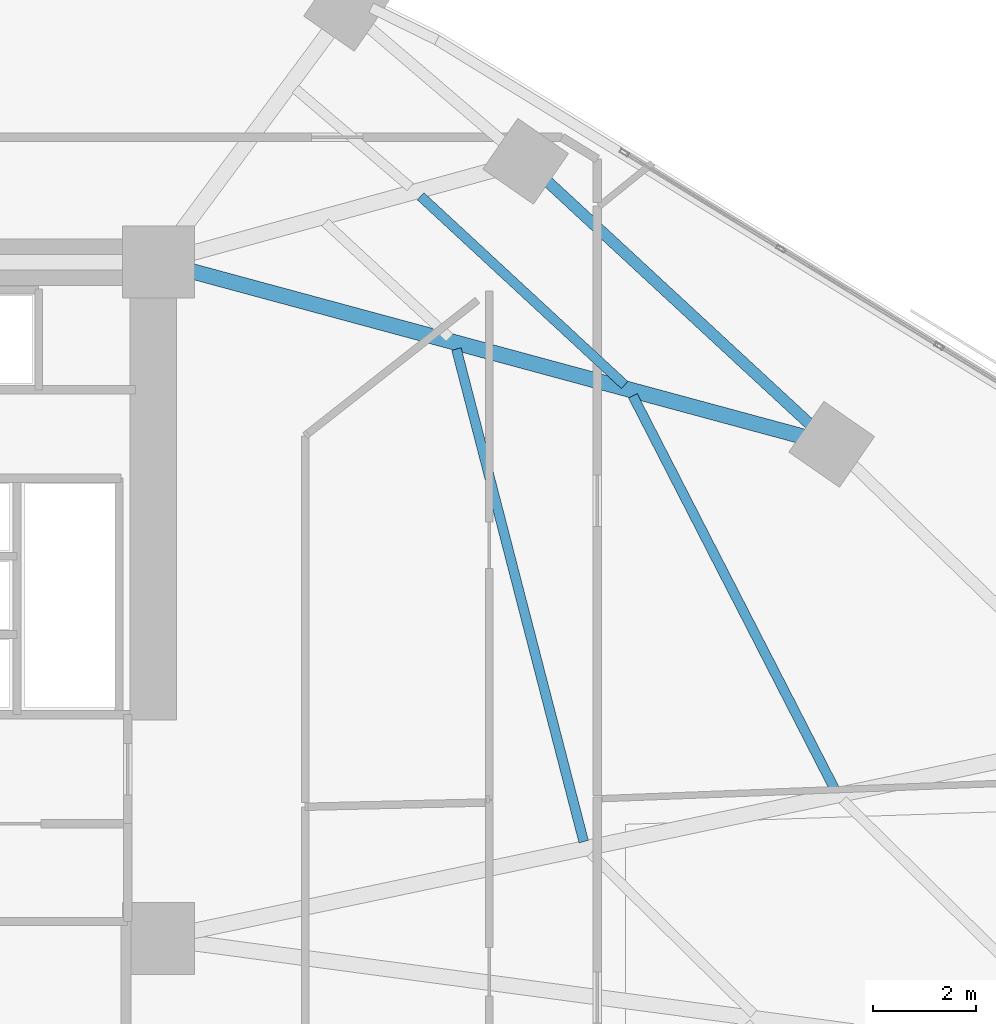
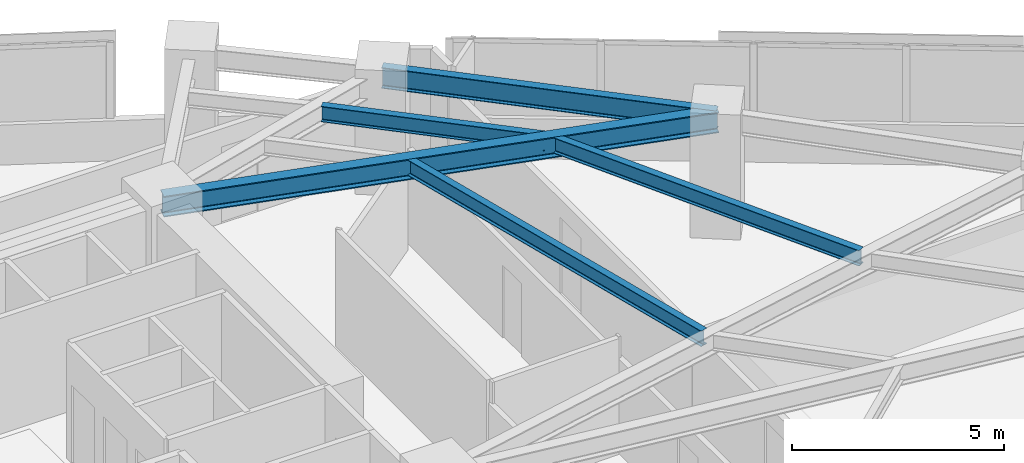
# One storey, part 5 of 19: 5 beams.
"""IFC4 building model written with IfcOpenShell, lengths in metres."""

import ifcopenshell
import ifcopenshell.guid

model = None  # the IFC model being written
_history = None  # IfcOwnerHistory: only IFC2X3 demands one
_inside = {}  # id of a spatial element -> (the spatial element, [elements in it])
_under = {}  # id of a project, library or spatial element -> (it, [spatial elements below it])
_declared = {}  # id of a project -> (the project, [libraries it declares])
_typed = {}  # id of a type object -> (the type object, [elements of that type])
_made_of = {}  # id of a material, layer set ... -> (it, [elements and type objects made of it])


def new_model(schema):
    """Start an empty IFC model of exactly this schema.

    Asked for "IFC4X3", IfcOpenShell would pick the latest addendum, in which some entities
    have other attributes; the version numbers below select the first issue.
    IFC2X3 requires an IfcOwnerHistory on every rooted entity: one is made here for all.
    """
    global model, _history
    if schema == "IFC4X3":
        model = ifcopenshell.file(schema_version=(4, 3, 0, 0))
    else:
        model = ifcopenshell.file(schema=schema)
    _inside.clear()
    _under.clear()
    _declared.clear()
    _typed.clear()
    _made_of.clear()
    _history = None
    if model.schema == "IFC2X3":
        org = make("IfcOrganization", Name="unknown")
        user = make(
            "IfcPersonAndOrganization",
            ThePerson=make("IfcPerson", FamilyName="unknown"),
            TheOrganization=org,
        )
        app = make(
            "IfcApplication",
            ApplicationDeveloper=org,
            Version="unknown",
            ApplicationFullName="unknown",
            ApplicationIdentifier="unknown",
        )
        _history = make(
            "IfcOwnerHistory",
            OwningUser=user,
            OwningApplication=app,
            ChangeAction="ADDED",
            CreationDate=0,
        )
    return model


def make(cls, **values):
    """One entity of the class cls with the attributes given. An attribute that is None is left unset."""
    return model.create_entity(
        cls, **{name: value for name, value in values.items() if value is not None}
    )


def rooted(cls, **values):
    """An entity with a GlobalId (a new one), such as an element, a storey or a relation."""
    return make(cls, GlobalId=ifcopenshell.guid.new(), OwnerHistory=_history, **values)


def si_unit(unit_type, name, prefix=None):
    """IfcSIUnit, for example si_unit("LENGTHUNIT", "METRE", prefix="MILLI")."""
    return make("IfcSIUnit", UnitType=unit_type, Prefix=prefix, Name=name)


def assignment(units):
    """IfcUnitAssignment: the units of a project."""
    return None if units is None else make("IfcUnitAssignment", Units=units)


def point(xyz):
    """IfcCartesianPoint."""
    return None if xyz is None else make("IfcCartesianPoint", Coordinates=xyz)


def direction(xyz):
    """IfcDirection."""
    return None if xyz is None else make("IfcDirection", DirectionRatios=xyz)


def frame(location, z_axis=None, x_axis=None):
    """IfcAxis2Placement3D, a coordinate frame: its origin and axes. An axis left out is left unset."""
    return make(
        "IfcAxis2Placement3D",
        Location=point(location),
        Axis=direction(z_axis),
        RefDirection=direction(x_axis),
    )


def frame_2d(location, x_axis=None):
    """IfcAxis2Placement2D, a coordinate frame in the plane: its origin and x axis."""
    return make(
        "IfcAxis2Placement2D", Location=point(location), RefDirection=direction(x_axis)
    )


def origin():
    """The frame at (0, 0, 0) with its axes left unset."""
    return frame((0.0, 0.0, 0.0))


def origin_2d():
    """The frame at (0, 0) in the plane with its x axis left unset."""
    return frame_2d((0.0, 0.0))


def place(relative_to, where):
    """IfcLocalPlacement: puts the frame where relative to a parent placement (None: the world)."""
    return make(
        "IfcLocalPlacement", PlacementRelTo=relative_to, RelativePlacement=where
    )


def context(
    kind, dimensions, precision=None, world=None, true_north=None, identifier=None
):
    """IfcGeometricRepresentationContext, for example the 3D "Model" context."""
    return make(
        "IfcGeometricRepresentationContext",
        ContextIdentifier=identifier,
        ContextType=kind,
        CoordinateSpaceDimension=dimensions,
        Precision=precision,
        WorldCoordinateSystem=world,
        TrueNorth=true_north,
    )


def subcontext(parent, identifier, kind, view, scale=None):
    """IfcGeometricRepresentationSubContext, for example "Body" below "Model"."""
    return make(
        "IfcGeometricRepresentationSubContext",
        ContextIdentifier=identifier,
        ContextType=kind,
        ParentContext=parent,
        TargetScale=scale,
        TargetView=view,
    )


def project(units=None, contexts=None):
    """IfcProject with its units and contexts."""
    return rooted(
        "IfcProject",
        Name="project",
        RepresentationContexts=contexts,
        UnitsInContext=assignment(units),
    )


def spatial(cls, under=None, at=None, **own):
    """A site, building, storey or space (cls), placed at a placement, below another one or the project."""
    s = rooted(cls, ObjectPlacement=at, **own)
    if under is not None:
        _under.setdefault(under.id(), (under, []))[1].append(s)
    return s


def profile(cls, at=None, kind="AREA", **sizes):
    """A parametric profile (cls). Its sizes go by their IFC names, for example OverallWidth=200.0."""
    return make(cls, ProfileType=kind, Position=at, **sizes)


def i_section(**sizes):
    """IfcIShapeProfileDef."""
    return profile("IfcIShapeProfileDef", **sizes)


def extrude(swept, where, along, depth):
    """IfcExtrudedAreaSolid: the profile swept, set in the frame where, extruded along a direction by depth."""
    return make(
        "IfcExtrudedAreaSolid",
        SweptArea=swept,
        Position=where,
        ExtrudedDirection=direction(along),
        Depth=depth,
    )


def shape(context_of_items, identifier, shape_type, items):
    """IfcShapeRepresentation: the items that make up one representation, for example the "Body"."""
    return make(
        "IfcShapeRepresentation",
        ContextOfItems=context_of_items,
        RepresentationIdentifier=identifier,
        RepresentationType=shape_type,
        Items=items,
    )


def material(Name=None, Category=None):
    """IfcMaterial."""
    return make("IfcMaterial", Name=Name, Category=Category)


def material_profile(
    of_material, cross_section, Name=None, Category=None, Priority=None
):
    """IfcMaterialProfile: a cross section and its material."""
    return make(
        "IfcMaterialProfile",
        Name=Name,
        Material=of_material,
        Profile=cross_section,
        Priority=Priority,
        Category=Category,
    )


def profile_set(profiles, Name=None, composite=None):
    """IfcMaterialProfileSet."""
    return make(
        "IfcMaterialProfileSet",
        Name=Name,
        MaterialProfiles=profiles,
        CompositeProfile=composite,
    )


def made_of(thing, what):
    """Note that an element or type object is made of a material, layer set ...; save() writes the relation."""
    if what is not None:
        _made_of.setdefault(what.id(), (what, []))[1].append(thing)
    return thing


def type_object(cls, material=None, **own):
    """A type object (cls), such as IfcWallType, which elements share."""
    return made_of(rooted(cls, **own), material)


def element(
    cls,
    number,
    at=None,
    inside=None,
    cuts=None,
    type_object=None,
    material=None,
    context=None,
    identifier="Body",
    shape_type=None,
    held_by="IfcProductDefinitionShape",
    body=None,
    shapes=None,
    **own,
):
    """One element of the class cls, such as IfcWall. Its Tag is "e" and its number.

    at: its placement. inside: the storey or other place that contains it. cuts: it is an
    opening in that element (IfcRelVoidsElement). A single representation is given by context,
    identifier, shape_type and body (its items); several are given by shapes. held_by: the class
    of the entity that holds the representations. save() writes the other relations.
    """
    e = rooted(cls, Tag="e%d" % number, ObjectPlacement=at, **own)
    if body is not None:
        shapes = [shape(context, identifier, shape_type, body)]
    if shapes is not None:
        e.Representation = make(held_by, Representations=shapes)
    if inside is not None:
        _inside.setdefault(inside.id(), (inside, []))[1].append(e)
    if cuts is not None:
        rooted(
            "IfcRelVoidsElement", RelatingBuildingElement=cuts, RelatedOpeningElement=e
        )
    if type_object is not None:
        _typed.setdefault(type_object.id(), (type_object, []))[1].append(e)
    return made_of(e, material)


def aggregate(whole, parts):
    """IfcRelAggregates: a whole, such as a stair, and the parts it consists of."""
    return rooted("IfcRelAggregates", RelatingObject=whole, RelatedObjects=parts)


def save(model, path):
    """Write the relations noted so far, then the file.

    IfcRelAggregates (storeys below a building ...), IfcRelContainedInSpatialStructure (elements
    in a storey), IfcRelDefinesByType, IfcRelAssociatesMaterial and IfcRelDeclares: one each for
    every whole, place, type object, material and project.
    """
    for whole, parts in _under.values():
        aggregate(whole, parts)
    for where, things in _inside.values():
        rooted(
            "IfcRelContainedInSpatialStructure",
            RelatedElements=things,
            RelatingStructure=where,
        )
    for kind, things in _typed.values():
        rooted("IfcRelDefinesByType", RelatedObjects=things, RelatingType=kind)
    for what, things in _made_of.values():
        rooted("IfcRelAssociatesMaterial", RelatedObjects=things, RelatingMaterial=what)
    for by, libraries in _declared.values():
        rooted("IfcRelDeclares", RelatingContext=by, RelatedDefinitions=libraries)
    model.write(path)


model = new_model("IFC4")

# Units and contexts
model_context = context("Model", 3, precision=1e-05, world=origin(), true_north=direction((0.0, 1.0)))
body_context = subcontext(model_context, "Body", "Model", "MODEL_VIEW")
ifc_project = project(units=[si_unit("LENGTHUNIT", "METRE"), si_unit("AREAUNIT", "SQUARE_METRE"), si_unit("VOLUMEUNIT", "CUBIC_METRE"), si_unit("PLANEANGLEUNIT", "RADIAN"), si_unit("MASSUNIT", "GRAM", prefix="KILO")], contexts=[model_context])

# Site, building, storey
site_placement = place(None, origin())
site = spatial("IfcSite", under=ifc_project, at=site_placement, CompositionType="ELEMENT")
building_placement = place(site_placement, origin())
building = spatial("IfcBuilding", under=site, at=building_placement, Name="Narakoshi Arena Tower", CompositionType="ELEMENT")
storey_placement = place(building_placement, frame((0.0, 0.0, 113.699951171875)))
storey = spatial("IfcBuildingStorey", under=building, at=storey_placement, Name="L30", CompositionType="ELEMENT", Elevation=113.699951171875)

# Beams
ifc_material = material(Name="Structural steel S355J2", Category="steel")
ifc_material_profile_1 = material_profile(ifc_material, i_section(OverallWidth=0.219970703125, OverallDepth=0.60009765625, WebThickness=0.011962890625, FlangeThickness=0.01904296875, FilletRadius=0.02392578125, at=origin_2d()), Name="IPE600")
ifc_profile_set_1 = profile_set([ifc_material_profile_1], Name="Structural steel S355J2")
beam_type_1 = type_object("IfcBeamType", Name="BM-EDGE-600", PredefinedType="BEAM", material=ifc_profile_set_1)
beam_1_placement = place(storey_placement, frame((98.641357421875, 52.95849609375, 3.0400390625), z_axis=(-0.734140347065, 0.678997754643, 0.0), x_axis=(-0.678997754643, -0.734140347065, 0.0)))
element("IfcBeam", 1, at=beam_1_placement, inside=storey, type_object=beam_type_1, Name="L30 Perimeter Edge Girder 06", PredefinedType="BEAM", context=body_context, shape_type="SweptSolid", body=[
    extrude(i_section(OverallWidth=0.219970703125, OverallDepth=0.60009765625, WebThickness=0.011962890625, FlangeThickness=0.01904296875, FilletRadius=0.02392578125, at=origin_2d()), origin(), (0.0, 0.0, 1.0), 8.106689453125),
])
ifc_material_profile_2 = material_profile(ifc_material, i_section(OverallWidth=0.300048828125, OverallDepth=0.60009765625, WebThickness=0.015380859375, FlangeThickness=0.030029296875, FilletRadius=0.027099609375, at=origin_2d()), Name="HE600B")
ifc_profile_set_2 = profile_set([ifc_material_profile_2], Name="Structural steel S355J2")
beam_type_2 = type_object("IfcBeamType", Name="BM-PRI-600", PredefinedType="BEAM", material=ifc_profile_set_2)
beam_2_placement = place(storey_placement, frame((85.550048828125, 56.5, 3.0400390625), z_axis=(0.965301848216, -0.261136634408, 0.0), x_axis=(0.261136634408, 0.965301848216, 0.0)))
element("IfcBeam", 2, at=beam_2_placement, inside=storey, type_object=beam_type_2, Name="L30 Radial Primary Floor Girder 06", PredefinedType="BEAM", context=body_context, shape_type="SweptSolid", body=[
    extrude(i_section(OverallWidth=0.300048828125, OverallDepth=0.60009765625, WebThickness=0.015380859375, FlangeThickness=0.030029296875, FilletRadius=0.027099609375, at=origin_2d()), origin(), (0.0, 0.0, 1.0), 13.561767578125),
])
ifc_material_profile_3 = material_profile(ifc_material, i_section(OverallWidth=0.18994140625, OverallDepth=0.449951171875, WebThickness=0.009521484375, FlangeThickness=0.0146484375, FilletRadius=0.02099609375, at=origin_2d()), Name="IPE450")
ifc_profile_set_3 = profile_set([ifc_material_profile_3], Name="Structural steel S355J2")
beam_type_3 = type_object("IfcBeamType", Name="BM-SEC-450", PredefinedType="JOIST", material=ifc_profile_set_3)
beam_3_placement = place(storey_placement, frame((93.819091796875, 45.232177734375, 3.114990234375), z_axis=(-0.250175045667, 0.968200623076, 0.0), x_axis=(-0.968200623076, -0.250175045667, 0.0)))
element("IfcBeam", 3, at=beam_3_placement, inside=storey, type_object=beam_type_3, Name="L30 Composite Secondary Floor Joist 04", PredefinedType="JOIST", context=body_context, shape_type="SweptSolid", body=[
    extrude(i_section(OverallWidth=0.18994140625, OverallDepth=0.449951171875, WebThickness=0.009521484375, FlangeThickness=0.0146484375, FilletRadius=0.02099609375, at=origin_2d()), origin(), (0.0, 0.0, 1.0), 9.8935546875),
])
beam_4_placement = place(storey_placement, frame((98.69775390625, 46.256591796875, 3.114990234375), z_axis=(-0.45649835957, 0.88972425375, 0.0), x_axis=(-0.88972425375, -0.45649835957, 0.0)))
element("IfcBeam", 4, at=beam_4_placement, inside=storey, type_object=beam_type_3, Name="L30 Composite Secondary Floor Joist 05", PredefinedType="JOIST", context=body_context, shape_type="SweptSolid", body=[
    extrude(i_section(OverallWidth=0.18994140625, OverallDepth=0.449951171875, WebThickness=0.009521484375, FlangeThickness=0.0146484375, FilletRadius=0.02099609375, at=origin_2d()), origin(), (0.0, 0.0, 1.0), 8.591796875),
])
beam_5_placement = place(storey_placement, frame((94.614990234375, 54.11279296875, 3.114990234375), z_axis=(-0.734167550232, 0.678968341078, 0.0), x_axis=(-0.678968341078, -0.734167550232, 0.0)))
element("IfcBeam", 5, at=beam_5_placement, inside=storey, type_object=beam_type_3, Name="L30 Composite Secondary Floor Joist 07", PredefinedType="JOIST", context=body_context, shape_type="SweptSolid", body=[
    extrude(i_section(OverallWidth=0.18994140625, OverallDepth=0.449951171875, WebThickness=0.009521484375, FlangeThickness=0.0146484375, FilletRadius=0.02099609375, at=origin_2d()), origin(), (0.0, 0.0, 1.0), 5.40478515625),
])

save(model, "model.ifc")
